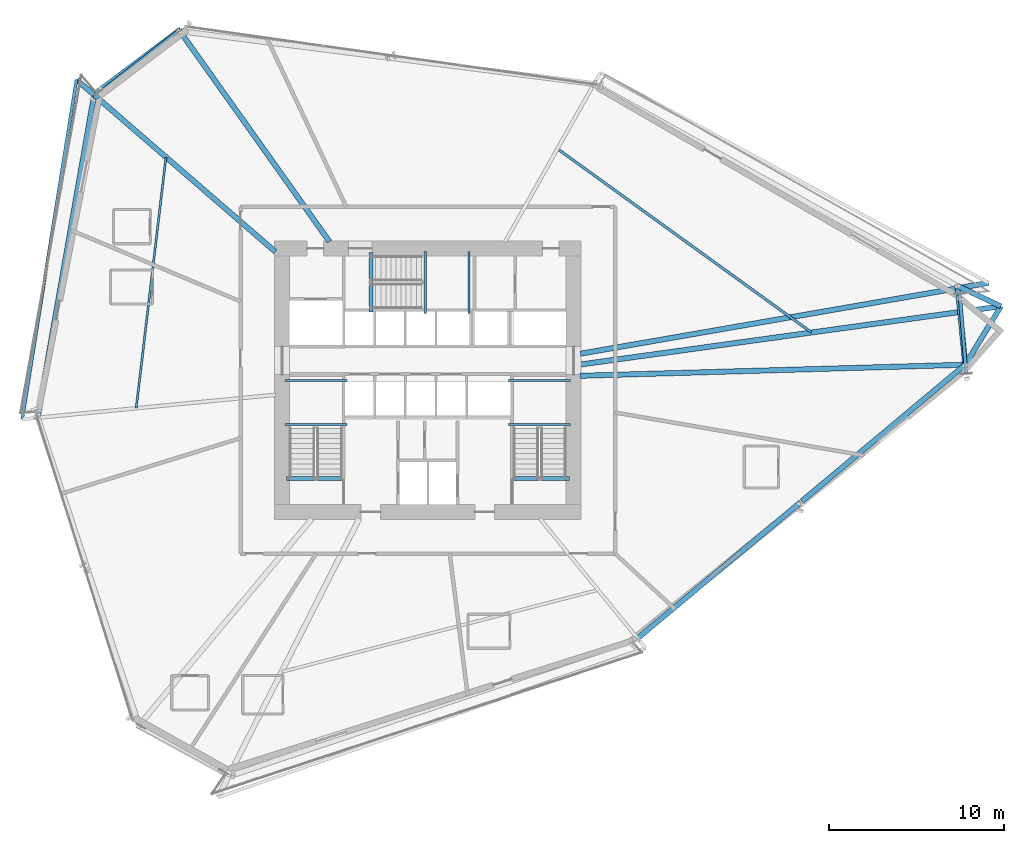
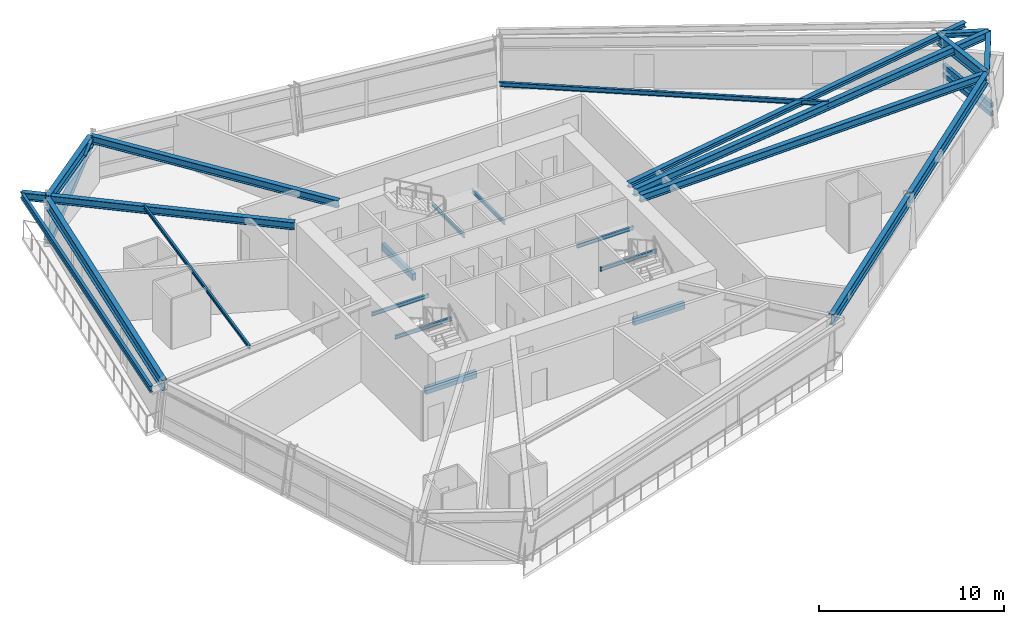
# One storey, part 7 of 21: 24 beams, 3 members.
"""IFC4 building model written with IfcOpenShell, lengths in metres."""

from ifc_helpers import new_model, si_unit, direction, frame, origin, origin_2d, place, context, subcontext, project, spatial, rectangle, hollow_rectangle, i_section, extrude, source, transform, mapped, material, material_profile, profile_set, type_object, element, save


model = new_model("IFC4")

# Units and contexts
model_context = context("Model", 3, precision=1e-05, world=origin(), true_north=direction((0.0, 1.0)))
body_context = subcontext(model_context, "Body", "Model", "MODEL_VIEW")
ifc_project = project(units=[si_unit("LENGTHUNIT", "METRE"), si_unit("AREAUNIT", "SQUARE_METRE"), si_unit("VOLUMEUNIT", "CUBIC_METRE"), si_unit("PLANEANGLEUNIT", "RADIAN"), si_unit("MASSUNIT", "GRAM", prefix="KILO")], contexts=[model_context])

# Site, building, storey
site_placement = place(None, origin())
site = spatial("IfcSite", under=ifc_project, at=site_placement, CompositionType="ELEMENT")
building_placement = place(site_placement, origin())
building = spatial("IfcBuilding", under=site, at=building_placement, Name="Olszyna Solenne Hotel", CompositionType="ELEMENT")
storey_placement = place(building_placement, frame((0.0, 0.0, 54.14990234375)))
storey = spatial("IfcBuildingStorey", under=building, at=storey_placement, Name="L13", CompositionType="ELEMENT", Elevation=54.14990234375)

# Beams
ifc_material_1 = material(Name="Steel S355J2", Category="steel")
ifc_material_profile_1 = material_profile(ifc_material_1, i_section(OverallWidth=0.300048828125, OverallDepth=0.699951171875, WebThickness=0.01708984375, FlangeThickness=0.031982421875, at=origin_2d()), Name="HEB 700", Category="load-bearing")
ifc_profile_set_1 = profile_set([ifc_material_profile_1], Name="Steel S355J2")
beam_type_1 = type_object("IfcBeamType", Name="BM-S1", PredefinedType="BEAM", material=ifc_profile_set_1)
shared_shape_1 = source(origin(), body_context, "Body", "SweptSolid", [
    extrude(i_section(OverallWidth=0.300048828125, OverallDepth=0.699951171875, WebThickness=0.01708984375, FlangeThickness=0.031982421875, at=origin_2d()), origin(), (0.0, 0.0, 1.0), 4.396484375),
])
beam_1_placement = place(storey_placement, frame((68.6875, 27.543212890625, 2.9501953125), z_axis=(-0.096732357075, 0.995310429512, 0.0), x_axis=(-0.995310429512, -0.096732357075, 0.0)))
element("IfcBeam", 1, at=beam_1_placement, inside=storey, type_object=beam_type_1, Name="Perimeter spandrel beam BM-S1 B-L13-0406", PredefinedType="BEAM", context=body_context, shape_type="MappedRepresentation", body=[
    mapped(shared_shape_1, transform((0.0, 0.0, 0.0), x_axis=(1.0, 0.0, 0.0), y_axis=(0.0, 1.0, 0.0), z_axis=(0.0, 0.0, 1.0), scale=1.0)),
])
shared_shape_2 = source(origin(), body_context, "Body", "SweptSolid", [
    extrude(i_section(OverallWidth=0.300048828125, OverallDepth=0.699951171875, WebThickness=0.01708984375, FlangeThickness=0.031982421875, at=origin_2d()), origin(), (0.0, 0.0, 1.0), 6.1396484375),
])
beam_2_placement = place(storey_placement, frame((23.788330078125, 46.5009765625, 2.9501953125), z_axis=(-0.787971319449, -0.615711945415, 0.0), x_axis=(0.615711945415, -0.787971319449, 0.0)))
element("IfcBeam", 2, at=beam_2_placement, inside=storey, type_object=beam_type_1, Name="Perimeter spandrel beam BM-S1 B-L13-0410", PredefinedType="BEAM", context=body_context, shape_type="MappedRepresentation", body=[
    mapped(shared_shape_2, transform((0.0, 0.0, 0.0), x_axis=(1.0, 0.0, 0.0), y_axis=(0.0, 1.0, 0.0), z_axis=(0.0, 0.0, 1.0), scale=1.0)),
])
shared_shape_3 = source(origin(), body_context, "Body", "SweptSolid", [
    extrude(i_section(OverallWidth=0.300048828125, OverallDepth=0.699951171875, WebThickness=0.01708984375, FlangeThickness=0.031982421875, at=origin_2d()), origin(), (0.0, 0.0, 1.0), 18.380126953125),
])
beam_3_placement = place(storey_placement, frame((18.892822265625, 42.62451171875, 2.9501953125), z_axis=(-0.172212782688, -0.985059773556, 0.0), x_axis=(0.985059773556, -0.172212782688, 0.0)))
element("IfcBeam", 3, at=beam_3_placement, inside=storey, type_object=beam_type_1, Name="Perimeter spandrel beam BM-S1 B-L13-0411", PredefinedType="BEAM", context=body_context, shape_type="MappedRepresentation", body=[
    mapped(shared_shape_3, transform((0.0, 0.0, 0.0), x_axis=(1.0, 0.0, 0.0), y_axis=(0.0, 1.0, 0.0), z_axis=(0.0, 0.0, 1.0), scale=1.0)),
])
shared_shape_4 = source(origin(), body_context, "Body", "SweptSolid", [
    extrude(i_section(OverallWidth=0.300048828125, OverallDepth=0.699951171875, WebThickness=0.01708984375, FlangeThickness=0.031982421875, at=origin_2d()), origin(), (0.0, 0.0, 1.0), 12.08935546875),
])
beam_4_placement = place(storey_placement, frame((49.9951171875, 11.87109375, 2.9501953125), z_axis=(0.76759521238, 0.640934934242, 0.0), x_axis=(-0.640934934242, 0.76759521238, 0.0)))
element("IfcBeam", 4, at=beam_4_placement, inside=storey, type_object=beam_type_1, Name="Perimeter spandrel beam BM-S1 B-L13-0416", PredefinedType="BEAM", context=body_context, shape_type="MappedRepresentation", body=[
    mapped(shared_shape_4, transform((0.0, 0.0, 0.0), x_axis=(1.0, 0.0, 0.0), y_axis=(0.0, 1.0, 0.0), z_axis=(0.0, 0.0, 1.0), scale=1.0)),
])
shared_shape_5 = source(origin(), body_context, "Body", "SweptSolid", [
    extrude(i_section(OverallWidth=0.300048828125, OverallDepth=0.699951171875, WebThickness=0.01708984375, FlangeThickness=0.031982421875, at=origin_2d()), origin(), (0.0, 0.0, 1.0), 12.089599609375),
])
beam_5_placement = place(storey_placement, frame((59.3671875, 19.696533203125, 2.9501953125), z_axis=(0.767603508064, 0.640924999051, 0.0), x_axis=(-0.640924999051, 0.767603508064, 0.0)))
element("IfcBeam", 5, at=beam_5_placement, inside=storey, type_object=beam_type_1, Name="Perimeter spandrel beam BM-S1 B-L13-0417", PredefinedType="BEAM", context=body_context, shape_type="MappedRepresentation", body=[
    mapped(shared_shape_5, transform((0.0, 0.0, 0.0), x_axis=(1.0, 0.0, 0.0), y_axis=(0.0, 1.0, 0.0), z_axis=(0.0, 0.0, 1.0), scale=1.0)),
])
ifc_material_profile_2 = material_profile(ifc_material_1, i_section(OverallWidth=0.300048828125, OverallDepth=0.489990234375, WebThickness=0.011962890625, FlangeThickness=0.02294921875, at=origin_2d()), Name="HEA 500", Category="load-bearing")
ifc_profile_set_2 = profile_set([ifc_material_profile_2], Name="Steel S355J2")
beam_type_2 = type_object("IfcBeamType", Name="BM-G1", PredefinedType="BEAM", material=ifc_profile_set_2)
shared_shape_6 = source(origin(), body_context, "Body", "SweptSolid", [
    extrude(i_section(OverallWidth=0.300048828125, OverallDepth=0.489990234375, WebThickness=0.011962890625, FlangeThickness=0.02294921875, at=origin_2d()), origin(), (0.0, 0.0, 1.0), 21.9423828125),
])
beam_6_placement = place(storey_placement, frame((68.63330078125, 27.48193359375, 3.05517578125), z_axis=(-0.999585974159, -0.028772908527, 0.0), x_axis=(0.028772908527, -0.999585974159, 0.0)))
element("IfcBeam", 6, at=beam_6_placement, inside=storey, type_object=beam_type_2, Name="Radial floor girder BM-G1 B-L13-0418", PredefinedType="BEAM", context=body_context, shape_type="MappedRepresentation", body=[
    mapped(shared_shape_6, transform((0.0, 0.0, 0.0), x_axis=(1.0, 0.0, 0.0), y_axis=(0.0, 1.0, 0.0), z_axis=(0.0, 0.0, 1.0), scale=1.0)),
])
shared_shape_7 = source(origin(), body_context, "Body", "SweptSolid", [
    extrude(i_section(OverallWidth=0.300048828125, OverallDepth=0.489990234375, WebThickness=0.011962890625, FlangeThickness=0.02294921875, at=origin_2d()), origin(), (0.0, 0.0, 1.0), 24.239013671875),
])
beam_7_placement = place(storey_placement, frame((70.710205078125, 30.81787109375, 3.05517578125), z_axis=(-0.990552603332, -0.137133292942, 0.0), x_axis=(0.137133292942, -0.990552603332, 0.0)))
element("IfcBeam", 7, at=beam_7_placement, inside=storey, type_object=beam_type_2, Name="Radial floor girder BM-G1 B-L13-0419", PredefinedType="BEAM", context=body_context, shape_type="MappedRepresentation", body=[
    mapped(shared_shape_7, transform((0.0, 0.0, 0.0), x_axis=(1.0, 0.0, 0.0), y_axis=(0.0, 1.0, 0.0), z_axis=(0.0, 0.0, 1.0), scale=1.0)),
])
shared_shape_8 = source(origin(), body_context, "Body", "SweptSolid", [
    extrude(i_section(OverallWidth=0.300048828125, OverallDepth=0.489990234375, WebThickness=0.011962890625, FlangeThickness=0.02294921875, at=origin_2d()), origin(), (0.0, 0.0, 1.0), 14.695068359375),
])
beam_8_placement = place(storey_placement, frame((23.870361328125, 46.489013671875, 3.05517578125), z_axis=(0.579153964024, -0.815218183038, 0.0), x_axis=(0.815218183038, 0.579153964024, 0.0)))
element("IfcBeam", 8, at=beam_8_placement, inside=storey, type_object=beam_type_2, Name="Radial floor girder BM-G1 B-L13-0421", PredefinedType="BEAM", context=body_context, shape_type="MappedRepresentation", body=[
    mapped(shared_shape_8, transform((0.0, 0.0, 0.0), x_axis=(1.0, 0.0, 0.0), y_axis=(0.0, 1.0, 0.0), z_axis=(0.0, 0.0, 1.0), scale=1.0)),
])
shared_shape_9 = source(origin(), body_context, "Body", "SweptSolid", [
    extrude(i_section(OverallWidth=0.300048828125, OverallDepth=0.489990234375, WebThickness=0.011962890625, FlangeThickness=0.02294921875, at=origin_2d()), origin(), (0.0, 0.0, 1.0), 14.99658203125),
])
beam_9_placement = place(storey_placement, frame((17.947509765625, 43.75, 3.05517578125), z_axis=(0.756208803693, -0.654330379256, 0.0), x_axis=(0.654330379256, 0.756208803693, 0.0)))
element("IfcBeam", 9, at=beam_9_placement, inside=storey, type_object=beam_type_2, Name="Radial floor girder BM-G1 B-L13-0422", PredefinedType="BEAM", context=body_context, shape_type="MappedRepresentation", body=[
    mapped(shared_shape_9, transform((0.0, 0.0, 0.0), x_axis=(1.0, 0.0, 0.0), y_axis=(0.0, 1.0, 0.0), z_axis=(0.0, 0.0, 1.0), scale=1.0)),
])
ifc_material_profile_3 = material_profile(ifc_material_1, i_section(OverallWidth=0.300048828125, OverallDepth=0.31005859375, WebThickness=0.009033203125, FlangeThickness=0.015380859375, at=origin_2d()), Name="HEA 320", Category="load-bearing")
ifc_profile_set_3 = profile_set([ifc_material_profile_3], Name="Steel S355J2")
beam_type_3 = type_object("IfcBeamType", Name="BM-G3", PredefinedType="BEAM", material=ifc_profile_set_3)
shared_shape_10 = source(origin(), body_context, "Body", "SweptSolid", [
    extrude(i_section(OverallWidth=0.300048828125, OverallDepth=0.31005859375, WebThickness=0.009033203125, FlangeThickness=0.015380859375, at=origin_2d()), origin(), (0.0, 0.0, 1.0), 3.909423828125),
])
beam_10_placement = place(storey_placement, frame((68.693115234375, 27.483642578125, 3.14501953125), z_axis=(0.521010412928, 0.853550320497, 0.0), x_axis=(-0.853550320497, 0.521010412928, 0.0)))
element("IfcBeam", 10, at=beam_10_placement, inside=storey, type_object=beam_type_3, Name="Prism side edge beam BM-G3 B-L13-0427", PredefinedType="BEAM", context=body_context, shape_type="MappedRepresentation", body=[
    mapped(shared_shape_10, transform((0.0, 0.0, 0.0), x_axis=(1.0, 0.0, 0.0), y_axis=(0.0, 1.0, 0.0), z_axis=(0.0, 0.0, 1.0), scale=1.0)),
])
shared_shape_11 = source(origin(), body_context, "Body", "SweptSolid", [
    extrude(i_section(OverallWidth=0.300048828125, OverallDepth=0.31005859375, WebThickness=0.009033203125, FlangeThickness=0.015380859375, at=origin_2d()), origin(), (0.0, 0.0, 1.0), 2.7314453125),
])
beam_11_placement = place(storey_placement, frame((68.25634765625, 31.97900390625, 3.14501953125), z_axis=(0.90560915965, -0.424113251336, 0.0), x_axis=(0.424113251336, 0.90560915965, 0.0)))
element("IfcBeam", 11, at=beam_11_placement, inside=storey, type_object=beam_type_3, Name="Prism side edge beam BM-G3 B-L13-0428", PredefinedType="BEAM", context=body_context, shape_type="MappedRepresentation", body=[
    mapped(shared_shape_11, transform((0.0, 0.0, 0.0), x_axis=(1.0, 0.0, 0.0), y_axis=(0.0, 1.0, 0.0), z_axis=(0.0, 0.0, 1.0), scale=1.0)),
])
shared_shape_12 = source(origin(), body_context, "Body", "SweptSolid", [
    extrude(i_section(OverallWidth=0.300048828125, OverallDepth=0.31005859375, WebThickness=0.009033203125, FlangeThickness=0.015380859375, at=origin_2d()), origin(), (0.0, 0.0, 1.0), 23.67626953125),
])
beam_12_placement = place(storey_placement, frame((70.028076171875, 32.15966796875, 3.14501953125), z_axis=(-0.985266044732, -0.171028714251, 0.0), x_axis=(0.171028714251, -0.985266044732, 0.0)))
element("IfcBeam", 12, at=beam_12_placement, inside=storey, type_object=beam_type_3, Name="Loggia/prism radial back-span girder BM-G3 B-L13-0429", PredefinedType="BEAM", context=body_context, shape_type="MappedRepresentation", body=[
    mapped(shared_shape_12, transform((0.0, 0.0, 0.0), x_axis=(1.0, 0.0, 0.0), y_axis=(0.0, 1.0, 0.0), z_axis=(0.0, 0.0, 1.0), scale=1.0)),
])
ifc_material_profile_4 = material_profile(ifc_material_1, i_section(OverallWidth=0.14990234375, OverallDepth=0.300048828125, WebThickness=0.007080078125, FlangeThickness=0.0107421875, at=origin_2d()), Name="IPE 300", Category="load-bearing")
ifc_profile_set_4 = profile_set([ifc_material_profile_4], Name="Steel S355J2")
beam_type_4 = type_object("IfcBeamType", Name="JS-02", PredefinedType="JOIST", material=ifc_profile_set_4)
shared_shape_13 = source(origin(), body_context, "Body", "SweptSolid", [
    extrude(i_section(OverallWidth=0.14990234375, OverallDepth=0.300048828125, WebThickness=0.007080078125, FlangeThickness=0.0107421875, at=origin_2d()), origin(), (0.0, 0.0, 1.0), 17.871337890625),
])
beam_13_placement = place(storey_placement, frame((59.900390625, 29.335205078125, 3.150146484375), z_axis=(-0.810426992199, 0.585839645564, 0.0), x_axis=(-0.585839645564, -0.810426992199, 0.0)))
element("IfcBeam", 13, at=beam_13_placement, inside=storey, type_object=beam_type_4, Name="Secondary composite floor joist JS-02 B-L13-0430", PredefinedType="JOIST", context=body_context, shape_type="MappedRepresentation", body=[
    mapped(shared_shape_13, transform((0.0, 0.0, 0.0), x_axis=(1.0, 0.0, 0.0), y_axis=(0.0, 1.0, 0.0), z_axis=(0.0, 0.0, 1.0), scale=1.0)),
])
ifc_material_profile_5 = material_profile(ifc_material_1, i_section(OverallWidth=0.1201171875, OverallDepth=0.239990234375, WebThickness=0.006103515625, FlangeThickness=0.009765625, at=origin_2d()), Name="IPE 240", Category="load-bearing")
ifc_profile_set_5 = profile_set([ifc_material_profile_5], Name="Steel S355J2")
beam_type_5 = type_object("IfcBeamType", Name="JS-03", PredefinedType="JOIST", material=ifc_profile_set_5)
shared_shape_14 = source(origin(), body_context, "Body", "SweptSolid", [
    extrude(i_section(OverallWidth=0.1201171875, OverallDepth=0.239990234375, WebThickness=0.006103515625, FlangeThickness=0.009765625, at=origin_2d()), origin(), (0.0, 0.0, 1.0), 14.404541015625),
])
beam_14_placement = place(storey_placement, frame((23.0400390625, 39.321533203125, 3.18017578125), z_axis=(-0.117709526031, -0.993048069069, 0.0), x_axis=(0.993048069069, -0.117709526031, 0.0)))
element("IfcBeam", 14, at=beam_14_placement, inside=storey, type_object=beam_type_5, Name="Secondary composite floor joist JS-03 B-L13-0431", PredefinedType="JOIST", context=body_context, shape_type="MappedRepresentation", body=[
    mapped(shared_shape_14, transform((0.0, 0.0, 0.0), x_axis=(1.0, 0.0, 0.0), y_axis=(0.0, 1.0, 0.0), z_axis=(0.0, 0.0, 1.0), scale=1.0)),
])
ifc_material_profile_6 = material_profile(ifc_material_1, i_section(OverallWidth=0.179931640625, OverallDepth=0.39990234375, WebThickness=0.008544921875, FlangeThickness=0.013427734375, at=origin_2d()), Name="IPE 400", Category="load-bearing")
ifc_profile_set_6 = profile_set([ifc_material_profile_6], Name="Steel S355J2")
beam_type_6 = type_object("IfcBeamType", Name="BM-F5", PredefinedType="BEAM", material=ifc_profile_set_6)
shared_shape_15 = source(origin(), body_context, "Body", "SweptSolid", [
    extrude(i_section(OverallWidth=0.179931640625, OverallDepth=0.39990234375, WebThickness=0.008544921875, FlangeThickness=0.013427734375, at=origin_2d()), origin(), (0.0, 0.0, 1.0), 19.639892578125),
])
beam_15_placement = place(storey_placement, frame((17.932373046875, 43.76318359375, 3.10009765625), z_axis=(-0.157896444943, -0.987455676309, 0.0), x_axis=(0.987455676309, -0.157896444943, 0.0)))
element("IfcBeam", 15, at=beam_15_placement, inside=storey, type_object=beam_type_6, Name="Loggia outer edge beam BM-F5 B-L13-0434", PredefinedType="BEAM", context=body_context, shape_type="MappedRepresentation", body=[
    mapped(shared_shape_15, transform((0.0, 0.0, 0.0), x_axis=(1.0, 0.0, 0.0), y_axis=(0.0, 1.0, 0.0), z_axis=(0.0, 0.0, 1.0), scale=1.0)),
])

# Members
ifc_material_profile_7 = material_profile(ifc_material_1, hollow_rectangle(XDim=0.199951171875, YDim=0.300048828125, WallThickness=0.01611328125, at=origin_2d()), Name="RHS 300x200x16", Category="load-bearing")
ifc_profile_set_7 = profile_set([ifc_material_profile_7], Name="Steel S355J2")
member_type_1 = type_object("IfcMemberType", Name="CH-PR1", PredefinedType="CHORD", material=ifc_profile_set_7)
shared_shape_16 = source(origin(), body_context, "Body", "SweptSolid", [
    extrude(hollow_rectangle(XDim=0.199951171875, YDim=0.300048828125, WallThickness=0.01611328125, at=origin_2d()), origin(), (0.0, 0.0, 1.0), 4.5546875),
])
for number, where, z_axis, x_axis, name in (
    (16, (68.7490234375, 26.986328125, 1.35009765625), (-0.081097950227, 0.996706136466, 0.0), (-0.996706136466, -0.081097950227, 0.0), "Glass-prism tie chord CH-PR1 M-L13-PR1"),
    (17, (68.7490234375, 26.986328125, 0.780029296875), (-0.081097950227, 0.996706136466, 0.0), (-0.996706136466, -0.081097950227, 0.0), "Glass-prism tie chord CH-PR1 M-L13-PR2"),
):
    element("IfcMember", number, at=place(storey_placement, frame(where, z_axis=z_axis, x_axis=x_axis)), inside=storey, type_object=member_type_1, Name=name, PredefinedType="CHORD", context=body_context, shape_type="MappedRepresentation", body=[
        mapped(shared_shape_16, transform((0.0, 0.0, 0.0), x_axis=(1.0, 0.0, 0.0), y_axis=(0.0, 1.0, 0.0), z_axis=(0.0, 0.0, 1.0), scale=1.0)),
    ])
ifc_material_2 = material(Name="Steel S460M", Category="steel")
ifc_material_profile_8 = material_profile(ifc_material_2, i_section(OverallWidth=0.412109375, OverallDepth=0.43505859375, WebThickness=0.031494140625, FlangeThickness=0.050048828125, at=origin_2d()), Name="HD 400x463", Category="load-bearing")
ifc_profile_set_8 = profile_set([ifc_material_profile_8], Name="Steel S460M")
member_type_2 = type_object("IfcMemberType", Name="BR-T1", PredefinedType="BRACE", material=ifc_profile_set_8)
shared_shape_17 = source(origin(), body_context, "Body", "SweptSolid", [
    extrude(i_section(OverallWidth=0.412109375, OverallDepth=0.43505859375, WebThickness=0.031494140625, FlangeThickness=0.050048828125, at=origin_2d()), origin(), (0.0, 0.0, 1.0), 6.5830078125),
])
member_placement = place(storey_placement, frame((19.11376953125, 42.98828125, 0.010009765625), z_axis=(0.717296770221, 0.539205715436, 0.441296430839), x_axis=(-0.600879113843, 0.799339909267, 0.0)))
element("IfcMember", 18, at=member_placement, inside=storey, type_object=member_type_2, Name="Perimeter braced-tube diagonal BR-T1 BR-L13-2", PredefinedType="BRACE", context=body_context, shape_type="MappedRepresentation", body=[
    mapped(shared_shape_17, transform((0.0, 0.0, 0.0), x_axis=(1.0, 0.0, 0.0), y_axis=(0.0, 1.0, 0.0), z_axis=(0.0, 0.0, 1.0), scale=1.0)),
])

# Beams
shared_shape_18 = source(origin(), body_context, "Body", "SweptSolid", [
    extrude(i_section(OverallWidth=0.1201171875, OverallDepth=0.239990234375, WebThickness=0.006103515625, FlangeThickness=0.009765625, at=origin_2d()), origin(), (0.0, 0.0, 1.0), 3.539794921875),
])
for number, where, z_axis, x_axis, name in (
    (19, (33.3798828125, 24.070068359375, 1.4501953125), (-1.0, 0.0, 0.0), (0.0, -1.0, 0.0), "Stair landing support beam JS-03 SLB-ST1-0031"),
    (20, (33.3798828125, 26.580078125, 1.4501953125), (-1.0, 0.0, 0.0), (0.0, -1.0, 0.0), "Stair landing support beam JS-03 SLB-ST1-0032"),
    (21, (46.159912109375, 24.070068359375, 1.4501953125), (-1.0, 0.0, 0.0), (0.0, -1.0, 0.0), "Stair landing support beam JS-03 SLB-ST2-0271"),
    (22, (46.159912109375, 26.580078125, 1.4501953125), (-1.0, 0.0, 0.0), (0.0, -1.0, 0.0), "Stair landing support beam JS-03 SLB-ST2-0272"),
):
    element("IfcBeam", number, at=place(storey_placement, frame(where, z_axis=z_axis, x_axis=x_axis)), inside=storey, type_object=beam_type_5, Name=name, PredefinedType="JOIST", context=body_context, shape_type="MappedRepresentation", body=[
        mapped(shared_shape_18, transform((0.0, 0.0, 0.0), x_axis=(1.0, 0.0, 0.0), y_axis=(0.0, 1.0, 0.0), z_axis=(0.0, 0.0, 1.0), scale=1.0)),
    ])
ifc_material_3 = material(Name="Concrete C50/60", Category="concrete")
ifc_material_profile_9 = material_profile(ifc_material_3, rectangle(XDim=0.219970703125, YDim=0.43994140625, at=origin_2d()), Name="RC 220x440", Category="load-bearing")
ifc_profile_set_9 = profile_set([ifc_material_profile_9], Name="Concrete C50/60")
beam_type_7 = type_object("IfcBeamType", Name="BM-ST1", PredefinedType="BEAM", material=ifc_profile_set_9)
shared_shape_19 = source(origin(), body_context, "Body", "SweptSolid", [
    extrude(rectangle(XDim=0.219970703125, YDim=0.43994140625, at=origin_2d()), origin(), (0.0, 0.0, 1.0), 3.18017578125),
])
for number, where, z_axis, x_axis, name in (
    (23, (33.10009765625, 20.97998046875, -0.204833984375), (-1.0, 0.0, 0.0), (0.0, -1.0, 0.0), "Concrete stair trimmer beam BM-ST1 SHB-ST1-0175"),
    (24, (46.080078125, 20.97998046875, -0.204833984375), (-1.0, 0.0, 0.0), (0.0, -1.0, 0.0), "Concrete stair trimmer beam BM-ST1 SHB-ST2-0415"),
):
    element("IfcBeam", number, at=place(storey_placement, frame(where, z_axis=z_axis, x_axis=x_axis)), inside=storey, type_object=beam_type_7, Name=name, PredefinedType="BEAM", context=body_context, shape_type="MappedRepresentation", body=[
        mapped(shared_shape_19, transform((0.0, 0.0, 0.0), x_axis=(1.0, 0.0, 0.0), y_axis=(0.0, 1.0, 0.0), z_axis=(0.0, 0.0, 1.0), scale=1.0)),
    ])
shared_shape_20 = source(origin(), body_context, "Body", "SweptSolid", [
    extrude(i_section(OverallWidth=0.1201171875, OverallDepth=0.239990234375, WebThickness=0.006103515625, FlangeThickness=0.009765625, at=origin_2d()), origin(), (0.0, 0.0, 1.0), 3.5400390625),
])
for number, where, z_axis, x_axis, name in (
    (25, (37.85009765625, 30.419921875, 1.4501953125), (0.0, 1.0, 0.0), (-1.0, 0.0, 0.0), "Stair landing support beam JS-03 SLB-ST3-0511"),
    (26, (40.360107421875, 30.419921875, 1.4501953125), (0.0, 1.0, 0.0), (-1.0, 0.0, 0.0), "Stair landing support beam JS-03 SLB-ST3-0512"),
):
    element("IfcBeam", number, at=place(storey_placement, frame(where, z_axis=z_axis, x_axis=x_axis)), inside=storey, type_object=beam_type_5, Name=name, PredefinedType="JOIST", context=body_context, shape_type="MappedRepresentation", body=[
        mapped(shared_shape_20, transform((0.0, 0.0, 0.0), x_axis=(1.0, 0.0, 0.0), y_axis=(0.0, 1.0, 0.0), z_axis=(0.0, 0.0, 1.0), scale=1.0)),
    ])
shared_shape_21 = source(origin(), body_context, "Body", "SweptSolid", [
    extrude(rectangle(XDim=0.219970703125, YDim=0.43994140625, at=origin_2d()), origin(), (0.0, 0.0, 1.0), 3.3798828125),
])
beam_16_placement = place(storey_placement, frame((34.760009765625, 30.5, -0.204833984375), z_axis=(0.0, 1.0, 0.0), x_axis=(-1.0, 0.0, 0.0)))
element("IfcBeam", 27, at=beam_16_placement, inside=storey, type_object=beam_type_7, Name="Concrete stair trimmer beam BM-ST1 SHB-ST3-0653", PredefinedType="BEAM", context=body_context, shape_type="MappedRepresentation", body=[
    mapped(shared_shape_21, transform((0.0, 0.0, 0.0), x_axis=(1.0, 0.0, 0.0), y_axis=(0.0, 1.0, 0.0), z_axis=(0.0, 0.0, 1.0), scale=1.0)),
])

save(model, "model.ifc")
